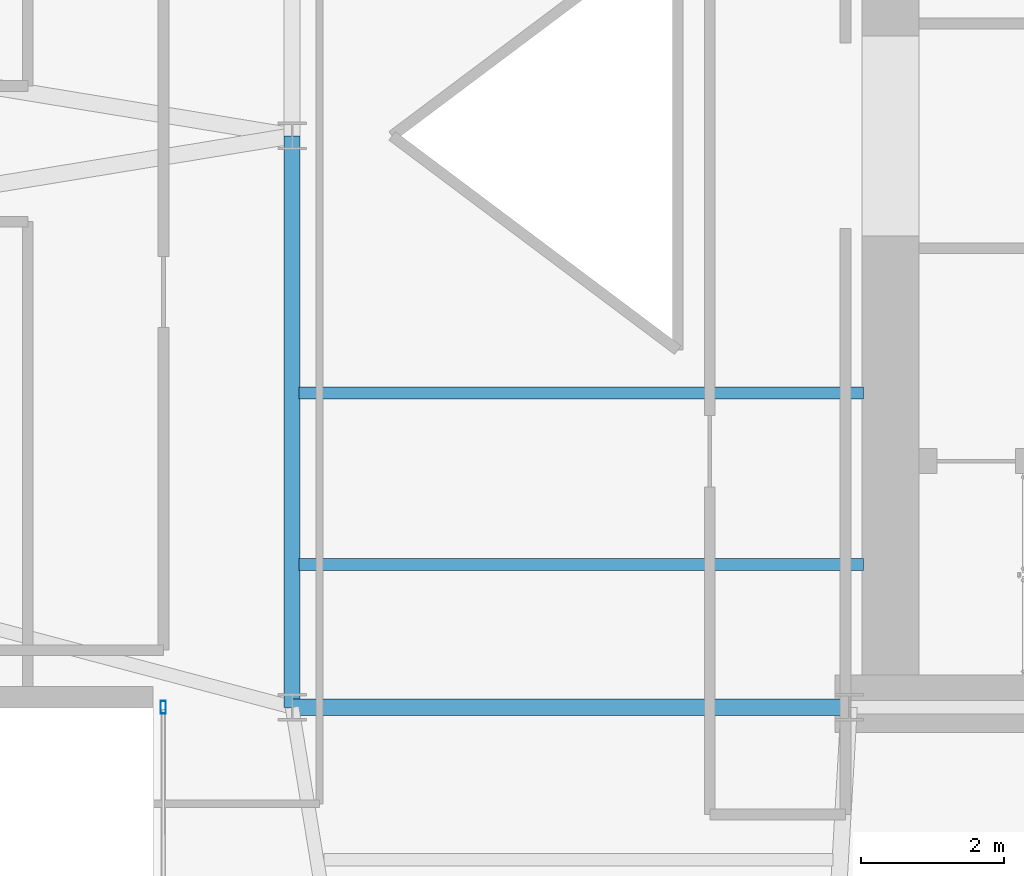
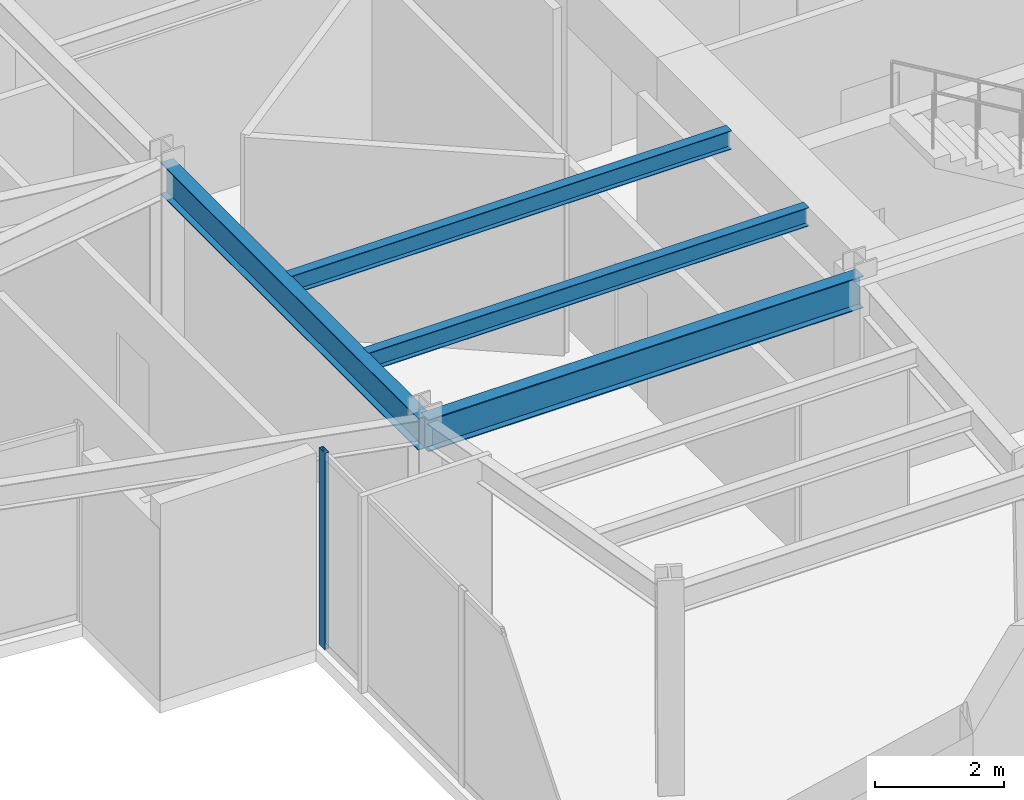
# One storey, part 8 of 23: 4 beams, 1 member, 1 element without a shape of its own.
"""IFC4 building model written with IfcOpenShell, lengths in metres."""

from ifc_helpers import new_model, si_unit, direction, frame, origin, origin_2d, place, context, subcontext, project, spatial, hollow_rectangle, i_section, extrude, material, layer, layer_set, material_profile, profile_set, type_object, element, aggregate, save


model = new_model("IFC4")

# Units and contexts
model_context = context("Model", 3, precision=1e-05, world=origin(), true_north=direction((0.0, 1.0)))
body_context = subcontext(model_context, "Body", "Model", "MODEL_VIEW")
ifc_project = project(units=[si_unit("LENGTHUNIT", "METRE"), si_unit("AREAUNIT", "SQUARE_METRE"), si_unit("VOLUMEUNIT", "CUBIC_METRE"), si_unit("PLANEANGLEUNIT", "RADIAN"), si_unit("MASSUNIT", "GRAM", prefix="KILO")], contexts=[model_context])

# Site, building, storey
site_placement = place(None, origin())
site = spatial("IfcSite", under=ifc_project, at=site_placement, CompositionType="ELEMENT")
building_placement = place(site_placement, origin())
building = spatial("IfcBuilding", under=site, at=building_placement, Name="Veymaron Broadcast Tower", CompositionType="ELEMENT")
storey_placement = place(building_placement, frame((0.0, 0.0, 177.60009765625)))
storey = spatial("IfcBuildingStorey", under=building, at=storey_placement, Name="L41", CompositionType="ELEMENT", Elevation=177.60009765625)

# Beams
ifc_material_1 = material(Name="Structural steel ASTM A992 Gr 50", Category="steel")
ifc_material_profile_1 = material_profile(ifc_material_1, i_section(OverallWidth=0.22802734375, OverallDepth=0.60791015625, WebThickness=0.01123046875, FlangeThickness=0.017333984375, at=origin_2d()), Name="W610X113")
ifc_profile_set_1 = profile_set([ifc_material_profile_1], Name="Structural steel ASTM A992 Gr 50")
beam_type_1 = type_object("IfcBeamType", Name="BM-FG2", PredefinedType="BEAM", material=ifc_profile_set_1)
beam_1_placement = place(storey_placement, frame((31.199951171875, 16.0, 3.42578125), z_axis=(0.0, 1.0, 0.0), x_axis=(-1.0, 0.0, 0.0)))
element("IfcBeam", 1, at=beam_1_placement, inside=storey, type_object=beam_type_1, Name="L41 primary structural floor girder", PredefinedType="BEAM", context=body_context, shape_type="SweptSolid", body=[
    extrude(i_section(OverallWidth=0.22802734375, OverallDepth=0.60791015625, WebThickness=0.01123046875, FlangeThickness=0.017333984375, at=origin_2d()), origin(), (0.0, 0.0, 1.0), 8.0),
])
beam_2_placement = place(storey_placement, frame((31.199951171875, 16.0, 3.42578125), z_axis=(1.0, 0.0, 0.0), x_axis=(0.0, 1.0, 0.0)))
element("IfcBeam", 2, at=beam_2_placement, inside=storey, type_object=beam_type_1, Name="L41 primary structural floor girder", PredefinedType="BEAM", context=body_context, shape_type="SweptSolid", body=[
    extrude(i_section(OverallWidth=0.22802734375, OverallDepth=0.60791015625, WebThickness=0.01123046875, FlangeThickness=0.017333984375, at=origin_2d()), origin(), (0.0, 0.0, 1.0), 7.800048828125),
])
ifc_material_profile_2 = material_profile(ifc_material_1, i_section(OverallWidth=0.1708984375, OverallDepth=0.35498046875, WebThickness=0.007080078125, FlangeThickness=0.01171875, at=origin_2d()), Name="W360X51")
ifc_profile_set_2 = profile_set([ifc_material_profile_2], Name="Structural steel ASTM A992 Gr 50")
beam_type_2 = type_object("IfcBeamType", Name="BM-JS2", PredefinedType="JOIST", material=ifc_profile_set_2)
for number, where, z_axis, x_axis, name in (
    (3, (31.300048828125, 18.0, 3.552490234375), (1.0, 0.0, 0.0), (0.0, 1.0, 0.0), "L41 Hub secondary joist 1"),
    (4, (31.300048828125, 20.39990234375, 3.552490234375), (1.0, 0.0, 0.0), (0.0, 1.0, 0.0), "L41 Hub secondary joist 2"),
):
    element("IfcBeam", number, at=place(storey_placement, frame(where, z_axis=z_axis, x_axis=x_axis)), inside=storey, type_object=beam_type_2, Name=name, PredefinedType="JOIST", context=body_context, shape_type="SweptSolid", body=[
        extrude(i_section(OverallWidth=0.1708984375, OverallDepth=0.35498046875, WebThickness=0.007080078125, FlangeThickness=0.01171875, at=origin_2d()), origin(), (0.0, 0.0, 1.0), 7.89990234375),
    ])

# Curtain wall, member
ifc_material_2 = material(Name="Anodised aluminium AA 6063-T6 and laminated low-E dark glass", Category="aluminium")
ifc_layer = layer(ifc_material_2, 0.179931640625)
ifc_layer_set = layer_set([ifc_layer], Name="Anodised aluminium AA 6063-T6 and laminated low-E dark glass")
curtain_wall_type = type_object("IfcCurtainWallType", Name="CW-SYS-03", PredefinedType="NOTDEFINED", material=ifc_layer_set)
curtain_wall_placement = place(storey_placement, origin())
curtain_wall = element("IfcCurtainWall", 5, at=curtain_wall_placement, inside=storey, type_object=curtain_wall_type, Name="L41 dark-glass curtain wall CW-L41-E17-1", PredefinedType="NOTDEFINED")
ifc_material_3 = material(Name="Anodised aluminium AA 6063-T6", Category="aluminium")
ifc_material_profile_3 = material_profile(ifc_material_3, hollow_rectangle(XDim=0.074951171875, YDim=0.179931640625, WallThickness=0.0048828125, at=origin_2d()), Name="AL180X75X5")
ifc_profile_set_3 = profile_set([ifc_material_profile_3], Name="Anodised aluminium AA 6063-T6")
member_type = type_object("IfcMemberType", Name="CW-MUL-02", PredefinedType="MULLION", material=ifc_profile_set_3)
member_placement = place(storey_placement, frame((29.396484375, 16.0, 0.0), z_axis=(0.0, 0.0, 1.0), x_axis=(1.0, 0.0, 0.0)))
member = element("IfcMember", 6, at=member_placement, type_object=member_type, Name="CW-L41-E17-1 mullion 0", PredefinedType="MULLION", context=body_context, shape_type="SweptSolid", body=[
    extrude(hollow_rectangle(XDim=0.074951171875, YDim=0.179931640625, WallThickness=0.0048828125, at=origin_2d()), origin(), (0.0, 0.0, 1.0), 3.72998046875),
])
aggregate(curtain_wall, [member])

save(model, "model.ifc")
